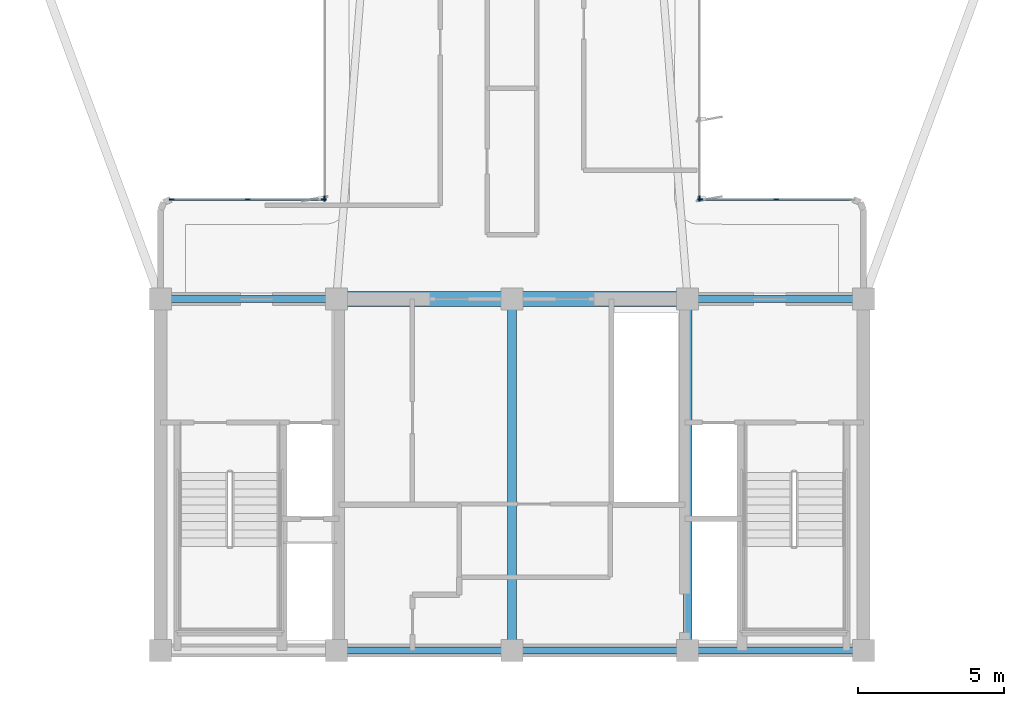
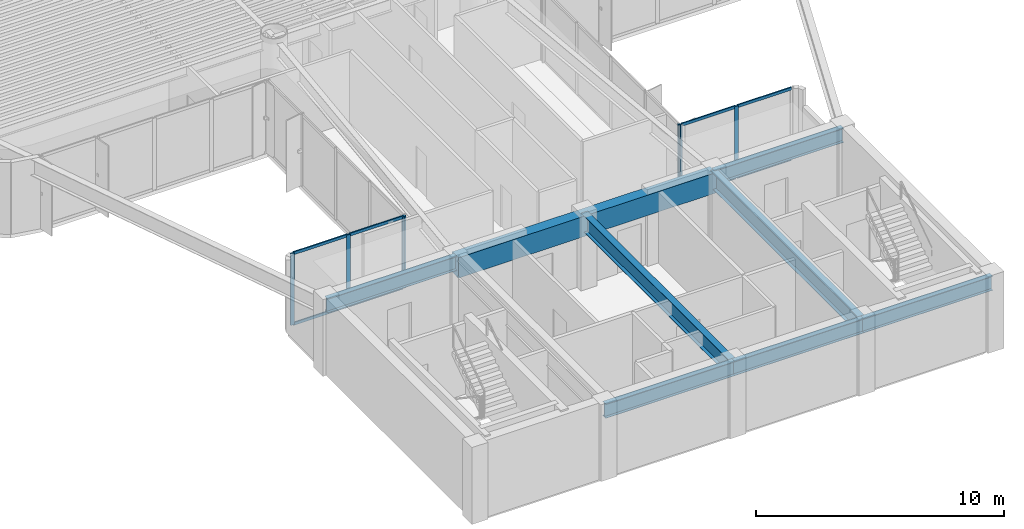
# One storey, part 2 of 14: 15 members, 8 beams, 4 elements without a shape of their own.
"""IFC4 building model written with IfcOpenShell, lengths in metres."""

from ifc_helpers import new_model, si_unit, direction, frame, origin, origin_2d, place, context, subcontext, project, spatial, rectangle, i_section, extrude, source, transform, mapped, material, layer, layer_set, material_profile, profile_set, type_object, element, aggregate, save


model = new_model("IFC4")

# Units and contexts
model_context = context("Model", 3, precision=1e-05, world=origin(), true_north=direction((0.0, 1.0)))
body_context = subcontext(model_context, "Body", "Model", "MODEL_VIEW")
ifc_project = project(units=[si_unit("LENGTHUNIT", "METRE"), si_unit("AREAUNIT", "SQUARE_METRE"), si_unit("VOLUMEUNIT", "CUBIC_METRE"), si_unit("PLANEANGLEUNIT", "RADIAN"), si_unit("MASSUNIT", "GRAM", prefix="KILO")], contexts=[model_context])

# Site, building, storey
site_placement = place(None, origin())
site = spatial("IfcSite", under=ifc_project, at=site_placement, CompositionType="ELEMENT")
building_placement = place(site_placement, origin())
building = spatial("IfcBuilding", under=site, at=building_placement, Name="Brelvock Crest Care Tower", CompositionType="ELEMENT")
storey_placement = place(building_placement, frame((0.0, 0.0, 179.10009765625)))
storey = spatial("IfcBuildingStorey", under=building, at=storey_placement, Name="L45", CompositionType="ELEMENT", Elevation=179.10009765625)

# Beams
ifc_material_1 = material(Name="Steel Grade 350", Category="steel")
ifc_material_profile_1 = material_profile(ifc_material_1, i_section(OverallWidth=0.25, OverallDepth=0.699951171875, WebThickness=0.011962890625, FlangeThickness=0.02001953125, at=origin_2d()), Name="700WB150")
ifc_profile_set_1 = profile_set([ifc_material_profile_1], Name="Steel Grade 350")
beam_type_1 = type_object("IfcBeamType", Name="BM-G4", PredefinedType="BEAM", material=ifc_profile_set_1)
shared_shape_1 = source(origin(), body_context, "Body", "SweptSolid", [
    extrude(i_section(OverallWidth=0.25, OverallDepth=0.699951171875, WebThickness=0.011962890625, FlangeThickness=0.02001953125, at=origin_2d()), origin(), (0.0, 0.0, 1.0), 6.0),
])
for number, where, z_axis, x_axis, name in (
    (1, (24.0, 18.0, 3.179931640625), (1.0, 0.0, 0.0), (0.0, 1.0, 0.0), "BM-COREN-L45-1"),
    (2, (30.0, 6.0, 3.179931640625), (1.0, 0.0, 0.0), (0.0, 1.0, 0.0), "BM-CORES-L45-2"),
    (3, (36.0, 6.0, 3.179931640625), (1.0, 0.0, 0.0), (0.0, 1.0, 0.0), "BM-CORES-L45-3"),
    (4, (42.0, 6.0, 3.179931640625), (1.0, 0.0, 0.0), (0.0, 1.0, 0.0), "BM-CORES-L45-4"),
    (5, (42.0, 18.0, 3.179931640625), (1.0, 0.0, 0.0), (0.0, 1.0, 0.0), "BM-COREN-L45-4"),
):
    element("IfcBeam", number, at=place(storey_placement, frame(where, z_axis=z_axis, x_axis=x_axis)), inside=storey, type_object=beam_type_1, Name=name, PredefinedType="BEAM", context=body_context, shape_type="MappedRepresentation", body=[
        mapped(shared_shape_1, transform((0.0, 0.0, 0.0), x_axis=(1.0, 0.0, 0.0), y_axis=(0.0, 1.0, 0.0), z_axis=(0.0, 0.0, 1.0), scale=1.0)),
    ])
ifc_material_profile_2 = material_profile(ifc_material_1, i_section(OverallWidth=0.300048828125, OverallDepth=0.800048828125, WebThickness=0.013916015625, FlangeThickness=0.02197265625, at=origin_2d()), Name="800WB192")
ifc_profile_set_2 = profile_set([ifc_material_profile_2], Name="Steel Grade 350")
beam_type_2 = type_object("IfcBeamType", Name="BM-G5", PredefinedType="BEAM", material=ifc_profile_set_2)
shared_shape_2 = source(origin(), body_context, "Body", "SweptSolid", [
    extrude(i_section(OverallWidth=0.300048828125, OverallDepth=0.800048828125, WebThickness=0.013916015625, FlangeThickness=0.02197265625, at=origin_2d()), origin(), (0.0, 0.0, 1.0), 12.0),
])
for number, where, z_axis, x_axis, name in (
    (6, (36.0, 6.0, 3.1298828125), (0.0, 1.0, 0.0), (-1.0, 0.0, 0.0), "BM-COREX-L45-3"),
    (7, (42.0, 6.0, 3.1298828125), (0.0, 1.0, 0.0), (-1.0, 0.0, 0.0), "BM-COREX-L45-4"),
):
    element("IfcBeam", number, at=place(storey_placement, frame(where, z_axis=z_axis, x_axis=x_axis)), inside=storey, type_object=beam_type_2, Name=name, PredefinedType="BEAM", context=body_context, shape_type="MappedRepresentation", body=[
        mapped(shared_shape_2, transform((0.0, 0.0, 0.0), x_axis=(1.0, 0.0, 0.0), y_axis=(0.0, 1.0, 0.0), z_axis=(0.0, 0.0, 1.0), scale=1.0)),
    ])
ifc_material_2 = material(Name="Concrete S65 (65 MPa)", Category="concrete")
ifc_material_profile_3 = material_profile(ifc_material_2, rectangle(XDim=0.5, YDim=1.0, at=origin_2d()), Name="RC500x1000")
ifc_profile_set_3 = profile_set([ifc_material_profile_3], Name="Concrete S65 (65 MPa)")
beam_type_3 = type_object("IfcBeamType", Name="BM-LN2", PredefinedType="LINTEL", material=ifc_profile_set_3)
shared_shape_3 = source(origin(), body_context, "Body", "SweptSolid", [
    extrude(rectangle(XDim=0.5, YDim=1.0, at=origin_2d()), origin(), (0.0, 0.0, 1.0), 12.0),
])
beam_placement = place(storey_placement, frame((30.0, 18.0, 3.02978515625), z_axis=(1.0, 0.0, 0.0), x_axis=(0.0, 1.0, 0.0)))
element("IfcBeam", 8, at=beam_placement, inside=storey, type_object=beam_type_3, Name="L45 Core Coupling Lintel Beam", PredefinedType="LINTEL", context=body_context, shape_type="MappedRepresentation", body=[
    mapped(shared_shape_3, transform((0.0, 0.0, 0.0), x_axis=(1.0, 0.0, 0.0), y_axis=(0.0, 1.0, 0.0), z_axis=(0.0, 0.0, 1.0), scale=1.0)),
])

# Curtain wall, members
ifc_material_3 = material(Name="Dark Glass Double Glazed Low-E", Category="glass")
ifc_layer = layer(ifc_material_3, 0.22509765625, Name="CWS-4")
ifc_layer_set = layer_set([ifc_layer], Name="Dark Glass Double Glazed Low-E")
curtain_wall_type = type_object("IfcCurtainWallType", Name="CWS-4", PredefinedType="NOTDEFINED", material=ifc_layer_set)
curtain_wall_1_placement = place(storey_placement, origin())
curtain_wall_1 = element("IfcCurtainWall", 9, at=curtain_wall_1_placement, inside=storey, type_object=curtain_wall_type, Name="L45 Curtain Wall E10", PredefinedType="NOTDEFINED")
ifc_material_4 = material(Name="Aluminium 6063-T6", Category="aluminium")
ifc_material_profile_4 = material_profile(ifc_material_4, rectangle(XDim=0.06005859375, YDim=0.179931640625, at=origin_2d()), Name="ALU60x180")
ifc_profile_set_4 = profile_set([ifc_material_profile_4], Name="Aluminium 6063-T6")
member_type_1 = type_object("IfcMemberType", Name="CWM-2", PredefinedType="MULLION", material=ifc_profile_set_4)
shared_shape_4 = source(origin(), body_context, "Body", "SweptSolid", [
    extrude(rectangle(XDim=0.06005859375, YDim=0.179931640625, at=origin_2d()), origin(), (0.0, 0.0, 1.0), 3.52978515625),
])
member_1_placement = place(storey_placement, frame((24.3798828125, 21.39990234375, 0.0), z_axis=(0.0, 0.0, 1.0), x_axis=(0.0, 1.0, 0.0)))
member_1 = element("IfcMember", 10, at=member_1_placement, type_object=member_type_1, Name="CW-4 mullion 1", PredefinedType="MULLION", context=body_context, shape_type="MappedRepresentation", body=[
    mapped(shared_shape_4, transform((0.0, 0.0, 0.0), x_axis=(1.0, 0.0, 0.0), y_axis=(0.0, 1.0, 0.0), z_axis=(0.0, 0.0, 1.0), scale=1.0)),
])
member_2_placement = place(storey_placement, frame((26.97509765625, 21.39990234375, 0.0), z_axis=(0.0, 0.0, 1.0), x_axis=(0.0, 1.0, 0.0)))
member_2 = element("IfcMember", 11, at=member_2_placement, type_object=member_type_1, Name="CW-4 mullion 2", PredefinedType="MULLION", context=body_context, shape_type="MappedRepresentation", body=[
    mapped(shared_shape_4, transform((0.0, 0.0, 0.0), x_axis=(1.0, 0.0, 0.0), y_axis=(0.0, 1.0, 0.0), z_axis=(0.0, 0.0, 1.0), scale=1.0)),
])
member_3_placement = place(storey_placement, frame((29.570068359375, 21.39990234375, 0.0), z_axis=(0.0, 0.0, 1.0), x_axis=(0.0, 1.0, 0.0)))
member_3 = element("IfcMember", 12, at=member_3_placement, type_object=member_type_1, Name="CW-4 mullion 3", PredefinedType="MULLION", context=body_context, shape_type="MappedRepresentation", body=[
    mapped(shared_shape_4, transform((0.0, 0.0, 0.0), x_axis=(1.0, 0.0, 0.0), y_axis=(0.0, 1.0, 0.0), z_axis=(0.0, 0.0, 1.0), scale=1.0)),
])

# Curtain wall, member
curtain_wall_2_placement = place(storey_placement, origin())
curtain_wall_2 = element("IfcCurtainWall", 13, at=curtain_wall_2_placement, inside=storey, type_object=curtain_wall_type, Name="L45 Curtain Wall E11", PredefinedType="NOTDEFINED")
member_4_placement = place(storey_placement, frame((29.60009765625, 21.429931640625, 0.0), z_axis=(0.0, 0.0, 1.0), x_axis=(-1.0, 0.0, 0.0)))
member_4 = element("IfcMember", 14, at=member_4_placement, type_object=member_type_1, Name="CW-4 mullion 1", PredefinedType="MULLION", context=body_context, shape_type="MappedRepresentation", body=[
    mapped(shared_shape_4, transform((0.0, 0.0, 0.0), x_axis=(1.0, 0.0, 0.0), y_axis=(0.0, 1.0, 0.0), z_axis=(0.0, 0.0, 1.0), scale=1.0)),
])
aggregate(curtain_wall_2, [member_4])

curtain_wall_3_placement = place(storey_placement, origin())
curtain_wall_3 = element("IfcCurtainWall", 15, at=curtain_wall_3_placement, inside=storey, type_object=curtain_wall_type, Name="L45 Curtain Wall E45", PredefinedType="NOTDEFINED")
member_5_placement = place(storey_placement, frame((42.39990234375, 21.429931640625, 0.0), z_axis=(0.0, 0.0, 1.0), x_axis=(1.0, 0.0, 0.0)))
member_5 = element("IfcMember", 16, at=member_5_placement, type_object=member_type_1, Name="CW-4 mullion 5", PredefinedType="MULLION", context=body_context, shape_type="MappedRepresentation", body=[
    mapped(shared_shape_4, transform((0.0, 0.0, 0.0), x_axis=(1.0, 0.0, 0.0), y_axis=(0.0, 1.0, 0.0), z_axis=(0.0, 0.0, 1.0), scale=1.0)),
])
aggregate(curtain_wall_3, [member_5])

# Curtain wall, members
curtain_wall_4_placement = place(storey_placement, origin())
curtain_wall_4 = element("IfcCurtainWall", 17, at=curtain_wall_4_placement, inside=storey, type_object=curtain_wall_type, Name="L45 Curtain Wall E46", PredefinedType="NOTDEFINED")
member_6_placement = place(storey_placement, frame((42.429931640625, 21.39990234375, 0.0), z_axis=(0.0, 0.0, 1.0), x_axis=(0.0, 1.0, 0.0)))
member_6 = element("IfcMember", 18, at=member_6_placement, type_object=member_type_1, Name="CW-4 mullion 1", PredefinedType="MULLION", context=body_context, shape_type="MappedRepresentation", body=[
    mapped(shared_shape_4, transform((0.0, 0.0, 0.0), x_axis=(1.0, 0.0, 0.0), y_axis=(0.0, 1.0, 0.0), z_axis=(0.0, 0.0, 1.0), scale=1.0)),
])
member_7_placement = place(storey_placement, frame((45.02490234375, 21.39990234375, 0.0), z_axis=(0.0, 0.0, 1.0), x_axis=(0.0, 1.0, 0.0)))
member_7 = element("IfcMember", 19, at=member_7_placement, type_object=member_type_1, Name="CW-4 mullion 2", PredefinedType="MULLION", context=body_context, shape_type="MappedRepresentation", body=[
    mapped(shared_shape_4, transform((0.0, 0.0, 0.0), x_axis=(1.0, 0.0, 0.0), y_axis=(0.0, 1.0, 0.0), z_axis=(0.0, 0.0, 1.0), scale=1.0)),
])

# Member
ifc_material_profile_5 = material_profile(ifc_material_4, rectangle(XDim=0.06005859375, YDim=0.139892578125, at=origin_2d()), Name="ALU60x140")
ifc_profile_set_5 = profile_set([ifc_material_profile_5], Name="Aluminium 6063-T6")
member_type_2 = type_object("IfcMemberType", Name="CWT-2", PredefinedType="USERDEFINED", material=ifc_profile_set_5)
shared_shape_5 = source(origin(), body_context, "Body", "SweptSolid", [
    extrude(rectangle(XDim=0.06005859375, YDim=0.139892578125, at=origin_2d()), origin(), (0.0, 0.0, 1.0), 2.53515625),
])
member_8_placement = place(storey_placement, frame((24.409912109375, 21.39990234375, 0.02978515625), z_axis=(1.0, 0.0, 0.0), x_axis=(0.0, 1.0, 0.0)))
member_8 = element("IfcMember", 20, at=member_8_placement, type_object=member_type_2, Name="CW-4 transom 1.1", ObjectType="TRANSOM", PredefinedType="USERDEFINED", context=body_context, shape_type="MappedRepresentation", body=[
    mapped(shared_shape_5, transform((0.0, 0.0, 0.0), x_axis=(1.0, 0.0, 0.0), y_axis=(0.0, 1.0, 0.0), z_axis=(0.0, 0.0, 1.0), scale=1.0)),
])

member_9_placement = place(storey_placement, frame((24.409912109375, 21.39990234375, 3.5), z_axis=(1.0, 0.0, 0.0), x_axis=(0.0, 1.0, 0.0)))
member_9 = element("IfcMember", 21, at=member_9_placement, type_object=member_type_2, Name="CW-4 transom 1.2", ObjectType="TRANSOM", PredefinedType="USERDEFINED", context=body_context, shape_type="MappedRepresentation", body=[
    mapped(shared_shape_5, transform((0.0, 0.0, 0.0), x_axis=(1.0, 0.0, 0.0), y_axis=(0.0, 1.0, 0.0), z_axis=(0.0, 0.0, 1.0), scale=1.0)),
])

member_10_placement = place(storey_placement, frame((27.0048828125, 21.39990234375, 0.02978515625), z_axis=(1.0, 0.0, 0.0), x_axis=(0.0, 1.0, 0.0)))
member_10 = element("IfcMember", 22, at=member_10_placement, type_object=member_type_2, Name="CW-4 transom 2.1", ObjectType="TRANSOM", PredefinedType="USERDEFINED", context=body_context, shape_type="MappedRepresentation", body=[
    mapped(shared_shape_5, transform((0.0, 0.0, 0.0), x_axis=(1.0, 0.0, 0.0), y_axis=(0.0, 1.0, 0.0), z_axis=(0.0, 0.0, 1.0), scale=1.0)),
])

member_11_placement = place(storey_placement, frame((27.0048828125, 21.39990234375, 3.5), z_axis=(1.0, 0.0, 0.0), x_axis=(0.0, 1.0, 0.0)))
member_11 = element("IfcMember", 23, at=member_11_placement, type_object=member_type_2, Name="CW-4 transom 2.2", ObjectType="TRANSOM", PredefinedType="USERDEFINED", context=body_context, shape_type="MappedRepresentation", body=[
    mapped(shared_shape_5, transform((0.0, 0.0, 0.0), x_axis=(1.0, 0.0, 0.0), y_axis=(0.0, 1.0, 0.0), z_axis=(0.0, 0.0, 1.0), scale=1.0)),
])

aggregate(curtain_wall_1, [member_1, member_2, member_3, member_8, member_9, member_10, member_11])

member_12_placement = place(storey_placement, frame((42.4599609375, 21.39990234375, 0.02978515625), z_axis=(1.0, 0.0, 0.0), x_axis=(0.0, 1.0, 0.0)))
member_12 = element("IfcMember", 24, at=member_12_placement, type_object=member_type_2, Name="CW-4 transom 1.1", ObjectType="TRANSOM", PredefinedType="USERDEFINED", context=body_context, shape_type="MappedRepresentation", body=[
    mapped(shared_shape_5, transform((0.0, 0.0, 0.0), x_axis=(1.0, 0.0, 0.0), y_axis=(0.0, 1.0, 0.0), z_axis=(0.0, 0.0, 1.0), scale=1.0)),
])

member_13_placement = place(storey_placement, frame((42.4599609375, 21.39990234375, 3.5), z_axis=(1.0, 0.0, 0.0), x_axis=(0.0, 1.0, 0.0)))
member_13 = element("IfcMember", 25, at=member_13_placement, type_object=member_type_2, Name="CW-4 transom 1.2", ObjectType="TRANSOM", PredefinedType="USERDEFINED", context=body_context, shape_type="MappedRepresentation", body=[
    mapped(shared_shape_5, transform((0.0, 0.0, 0.0), x_axis=(1.0, 0.0, 0.0), y_axis=(0.0, 1.0, 0.0), z_axis=(0.0, 0.0, 1.0), scale=1.0)),
])

member_14_placement = place(storey_placement, frame((45.054931640625, 21.39990234375, 0.02978515625), z_axis=(1.0, 0.0, 0.0), x_axis=(0.0, 1.0, 0.0)))
member_14 = element("IfcMember", 26, at=member_14_placement, type_object=member_type_2, Name="CW-4 transom 2.1", ObjectType="TRANSOM", PredefinedType="USERDEFINED", context=body_context, shape_type="MappedRepresentation", body=[
    mapped(shared_shape_5, transform((0.0, 0.0, 0.0), x_axis=(1.0, 0.0, 0.0), y_axis=(0.0, 1.0, 0.0), z_axis=(0.0, 0.0, 1.0), scale=1.0)),
])

member_15_placement = place(storey_placement, frame((45.054931640625, 21.39990234375, 3.5), z_axis=(1.0, 0.0, 0.0), x_axis=(0.0, 1.0, 0.0)))
member_15 = element("IfcMember", 27, at=member_15_placement, type_object=member_type_2, Name="CW-4 transom 2.2", ObjectType="TRANSOM", PredefinedType="USERDEFINED", context=body_context, shape_type="MappedRepresentation", body=[
    mapped(shared_shape_5, transform((0.0, 0.0, 0.0), x_axis=(1.0, 0.0, 0.0), y_axis=(0.0, 1.0, 0.0), z_axis=(0.0, 0.0, 1.0), scale=1.0)),
])

aggregate(curtain_wall_4, [member_6, member_7, member_12, member_13, member_14, member_15])

save(model, "model.ifc")
